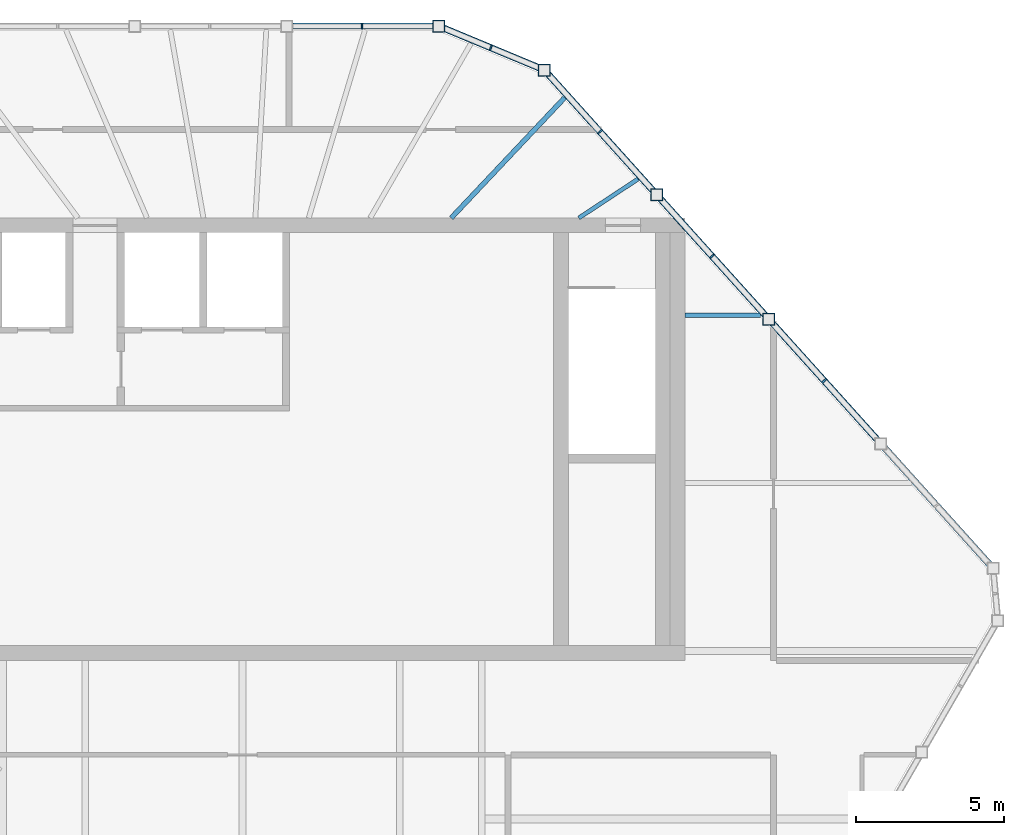
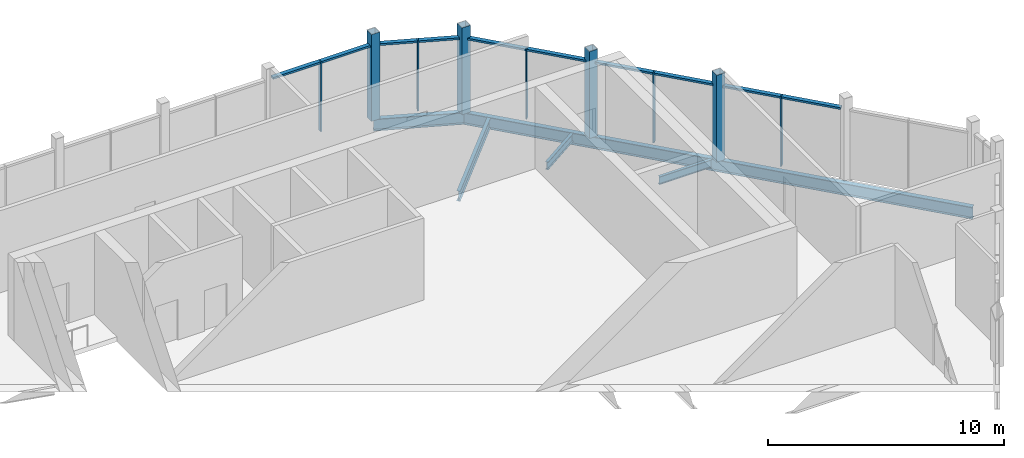
# One storey, part 6 of 10: 19 members, 5 beams, 3 elements without a shape of their own.
"""IFC4 building model written with IfcOpenShell, lengths in metres."""

from ifc_helpers import new_model, si_unit, direction, frame, origin, origin_2d, place, context, subcontext, project, spatial, rectangle, hollow_rectangle, i_section, extrude, material, layer, layer_set, material_profile, profile_set, type_object, element, aggregate, save


model = new_model("IFC4")

# Units and contexts
model_context = context("Model", 3, precision=1e-05, world=origin(), true_north=direction((0.0, 1.0)))
body_context = subcontext(model_context, "Body", "Model", "MODEL_VIEW")
ifc_project = project(units=[si_unit("LENGTHUNIT", "METRE"), si_unit("AREAUNIT", "SQUARE_METRE"), si_unit("VOLUMEUNIT", "CUBIC_METRE"), si_unit("PLANEANGLEUNIT", "RADIAN"), si_unit("MASSUNIT", "GRAM", prefix="KILO")], contexts=[model_context])

# Site, building, storey
site_placement = place(None, origin())
site = spatial("IfcSite", under=ifc_project, at=site_placement, CompositionType="ELEMENT")
building_placement = place(site_placement, origin())
building = spatial("IfcBuilding", under=site, at=building_placement, Name="Isthmus Gate Tower", CompositionType="ELEMENT")
storey_placement = place(building_placement, frame((0.0, 0.0, 311.10009765625)))
storey = spatial("IfcBuildingStorey", under=building, at=storey_placement, Name="C3", CompositionType="ELEMENT", Elevation=311.10009765625)

# Members
ifc_material_1 = material(Name="Structural steel ASTM A500 Gr C", Category="steel")
ifc_material_profile_1 = material_profile(ifc_material_1, hollow_rectangle(XDim=0.406494140625, YDim=0.406494140625, WallThickness=0.017578125, at=origin_2d()), Name="HSS16X16X3/4")
ifc_profile_set_1 = profile_set([ifc_material_profile_1], Name="Structural steel ASTM A500 Gr C")
member_type_1 = type_object("IfcMemberType", Name="CROWN POST HSS16X16X3/4", PredefinedType="POST", material=ifc_profile_set_1)
for number, where, z_axis, x_axis, name in (
    (1, (6.659912109375, 21.5, -0.25), (0.0, 0.0, 1.0), (1.0, 0.0, 0.0), "str-crownpost-C3-01"),
    (2, (17.83984375, 11.567138671875, -0.25), (0.0, 0.0, 1.0), (1.0, 0.0, 0.0), "str-crownpost-C3-28"),
    (3, (14.037109375, 15.790283203125, -0.25), (0.0, 0.0, 1.0), (1.0, 0.0, 0.0), "str-crownpost-C3-29"),
    (4, (10.234375, 20.013671875, -0.25), (0.0, 0.0, 1.0), (1.0, 0.0, 0.0), "str-crownpost-C3-30"),
):
    element("IfcMember", number, at=place(storey_placement, frame(where, z_axis=z_axis, x_axis=x_axis)), inside=storey, type_object=member_type_1, Name=name, PredefinedType="POST", context=body_context, shape_type="SweptSolid", body=[
        extrude(hollow_rectangle(XDim=0.406494140625, YDim=0.406494140625, WallThickness=0.017578125, at=origin_2d()), origin(), (0.0, 0.0, 1.0), 4.5),
    ])

# Beams
ifc_material_2 = material(Name="Structural steel ASTM A992 Gr 50", Category="steel")
ifc_material_profile_2 = material_profile(ifc_material_2, i_section(OverallWidth=0.231689453125, OverallDepth=0.615966796875, WebThickness=0.0126953125, FlangeThickness=0.022216796875, at=origin_2d()), Name="W24X94")
ifc_profile_set_2 = profile_set([ifc_material_profile_2], Name="Structural steel ASTM A992 Gr 50")
beam_type_1 = type_object("IfcBeamType", Name="CROWN RING BEAM W24X94", PredefinedType="BEAM", material=ifc_profile_set_2)
beam_1_placement = place(storey_placement, frame((25.445068359375, 3.120361328125, -0.55810546875), z_axis=(-0.669127890755, 0.743147270609, 0.0), x_axis=(-0.743147270609, -0.669127890755, 0.0)))
element("IfcBeam", 5, at=beam_1_placement, inside=storey, type_object=beam_type_1, Name="str-crownring-C3-10", PredefinedType="BEAM", context=body_context, shape_type="SweptSolid", body=[
    extrude(i_section(OverallWidth=0.231689453125, OverallDepth=0.615966796875, WebThickness=0.0126953125, FlangeThickness=0.022216796875, at=origin_2d()), origin(), (0.0, 0.0, 1.0), 22.732177734375),
])
beam_2_placement = place(storey_placement, frame((10.234375, 20.013671875, -0.55810546875), z_axis=(-0.923354696389, 0.383948049424, 0.0), x_axis=(-0.383948049424, -0.923354696389, 0.0)))
element("IfcBeam", 6, at=beam_2_placement, inside=storey, type_object=beam_type_1, Name="str-crownring-C3-11", PredefinedType="BEAM", context=body_context, shape_type="SweptSolid", body=[
    extrude(i_section(OverallWidth=0.231689453125, OverallDepth=0.615966796875, WebThickness=0.0126953125, FlangeThickness=0.022216796875, at=origin_2d()), origin(), (0.0, 0.0, 1.0), 3.87109375),
])

# Curtain wall, member
ifc_material_3 = material(Name="Aluminium, pale champagne anodised", Category="aluminium")
ifc_layer = layer(ifc_material_3, 0.199951171875)
ifc_layer_set = layer_set([ifc_layer], Name="CW-2 LOUVRE CURTAIN WALL 200 DEEP")
curtain_wall_type = type_object("IfcCurtainWallType", Name="CW-2 LOUVRE CURTAIN WALL 200 DEEP", PredefinedType="NOTDEFINED", material=ifc_layer_set)
curtain_wall_1_placement = place(storey_placement, origin())
curtain_wall_1 = element("IfcCurtainWall", 7, at=curtain_wall_1_placement, inside=storey, type_object=curtain_wall_type, Name="CW-2 E00 C3", PredefinedType="NOTDEFINED")
ifc_material_4 = material(Name="Aluminium, pale champagne anodised", Category="aluminium")
ifc_material_profile_3 = material_profile(ifc_material_4, rectangle(XDim=0.06005859375, YDim=0.199951171875, at=origin_2d()), Name="60x200")
ifc_profile_set_3 = profile_set([ifc_material_profile_3], Name="Aluminium, pale champagne anodised")
member_type_2 = type_object("IfcMemberType", Name="CW-2 MULLION 60 X 200", PredefinedType="MULLION", material=ifc_profile_set_3)
member_1_placement = place(storey_placement, frame((4.05126953125, 21.5, 0.0), z_axis=(0.0, 0.0, 1.0), x_axis=(-1.0, 0.0, 0.0)))
member_1 = element("IfcMember", 8, at=member_1_placement, type_object=member_type_2, Name="CW-2 mullion", PredefinedType="MULLION", context=body_context, shape_type="SweptSolid", body=[
    extrude(rectangle(XDim=0.06005859375, YDim=0.199951171875, at=origin_2d()), origin(), (0.0, 0.0, 1.0), 3.634033203125),
])

# Curtain wall, members
curtain_wall_2_placement = place(storey_placement, origin())
curtain_wall_2 = element("IfcCurtainWall", 9, at=curtain_wall_2_placement, inside=storey, type_object=curtain_wall_type, Name="CW-2 E10 C3", PredefinedType="NOTDEFINED")
member_2_placement = place(storey_placement, frame((19.720947265625, 9.477783203125, 0.0), z_axis=(0.0, 0.0, 1.0), x_axis=(-0.669130606359, 0.743144825477, 0.0)))
member_2 = element("IfcMember", 10, at=member_2_placement, type_object=member_type_2, Name="CW-2 mullion", PredefinedType="MULLION", context=body_context, shape_type="SweptSolid", body=[
    extrude(rectangle(XDim=0.06005859375, YDim=0.199951171875, at=origin_2d()), origin(), (0.0, 0.0, 1.0), 3.634033203125),
])
member_3_placement = place(storey_placement, frame((15.918212890625, 13.700927734375, 0.0), z_axis=(0.0, 0.0, 1.0), x_axis=(-0.669130606359, 0.743144825477, 0.0)))
member_3 = element("IfcMember", 11, at=member_3_placement, type_object=member_type_2, Name="CW-2 mullion", PredefinedType="MULLION", context=body_context, shape_type="SweptSolid", body=[
    extrude(rectangle(XDim=0.06005859375, YDim=0.199951171875, at=origin_2d()), origin(), (0.0, 0.0, 1.0), 3.634033203125),
])
member_4_placement = place(storey_placement, frame((12.11572265625, 17.92431640625, 0.0), z_axis=(0.0, 0.0, 1.0), x_axis=(-0.669130606359, 0.743144825477, 0.0)))
member_4 = element("IfcMember", 12, at=member_4_placement, type_object=member_type_2, Name="CW-2 mullion", PredefinedType="MULLION", context=body_context, shape_type="SweptSolid", body=[
    extrude(rectangle(XDim=0.06005859375, YDim=0.199951171875, at=origin_2d()), origin(), (0.0, 0.0, 1.0), 3.634033203125),
])

# Curtain wall, member
curtain_wall_3_placement = place(storey_placement, origin())
curtain_wall_3 = element("IfcCurtainWall", 13, at=curtain_wall_3_placement, inside=storey, type_object=curtain_wall_type, Name="CW-2 E11 C3", PredefinedType="NOTDEFINED")
member_5_placement = place(storey_placement, frame((8.41943359375, 20.768310546875, 0.0), z_axis=(0.0, 0.0, 1.0), x_axis=(-0.923353128387, 0.383951820282, 0.0)))
member_5 = element("IfcMember", 14, at=member_5_placement, type_object=member_type_2, Name="CW-2 mullion", PredefinedType="MULLION", context=body_context, shape_type="SweptSolid", body=[
    extrude(rectangle(XDim=0.06005859375, YDim=0.199951171875, at=origin_2d()), origin(), (0.0, 0.0, 1.0), 3.634033203125),
])

# Member
ifc_material_5 = material(Name="Aluminium, pale champagne anodised", Category="aluminium")
ifc_material_profile_4 = material_profile(ifc_material_5, rectangle(XDim=0.199951171875, YDim=0.10009765625, at=origin_2d()), Name="200x100")
ifc_profile_set_4 = profile_set([ifc_material_profile_4], Name="Aluminium, pale champagne anodised")
member_type_3 = type_object("IfcMemberType", Name="CW-2 TRANSOM 200 X 100", PredefinedType="USERDEFINED", material=ifc_profile_set_4)
member_6_placement = place(storey_placement, frame((6.456787109375, 21.5, 3.583984375), z_axis=(-1.0, 0.0, 0.0), x_axis=(0.0, -1.0, 0.0)))
member_6 = element("IfcMember", 15, at=member_6_placement, type_object=member_type_3, Name="CW-2 transom", ObjectType="TRANSOM", PredefinedType="USERDEFINED", context=body_context, shape_type="SweptSolid", body=[
    extrude(rectangle(XDim=0.199951171875, YDim=0.10009765625, at=origin_2d()), origin(), (0.0, 0.0, 1.0), 2.37548828125),
])

member_7_placement = place(storey_placement, frame((4.021240234375, 21.5, 3.583984375), z_axis=(-1.0, 0.0, 0.0), x_axis=(0.0, -1.0, 0.0)))
member_7 = element("IfcMember", 16, at=member_7_placement, type_object=member_type_3, Name="CW-2 transom", ObjectType="TRANSOM", PredefinedType="USERDEFINED", context=body_context, shape_type="SweptSolid", body=[
    extrude(rectangle(XDim=0.199951171875, YDim=0.10009765625, at=origin_2d()), origin(), (0.0, 0.0, 1.0), 2.3154296875),
])

aggregate(curtain_wall_1, [member_6, member_1, member_7])

member_8_placement = place(storey_placement, frame((21.50634765625, 7.494873046875, 3.583984375), z_axis=(-0.669169218402, 0.743110057221, 0.0), x_axis=(-0.743110057221, -0.669169218402, 0.0)))
member_8 = element("IfcMember", 17, at=member_8_placement, type_object=member_type_3, Name="CW-2 transom", ObjectType="TRANSOM", PredefinedType="USERDEFINED", context=body_context, shape_type="SweptSolid", body=[
    extrude(rectangle(XDim=0.199951171875, YDim=0.10009765625, at=origin_2d()), origin(), (0.0, 0.0, 1.0), 2.63818359375),
])

member_9_placement = place(storey_placement, frame((19.700927734375, 9.5, 3.583984375), z_axis=(-0.669163501195, 0.743115205516, 0.0), x_axis=(-0.743115205516, -0.669163501195, 0.0)))
member_9 = element("IfcMember", 18, at=member_9_placement, type_object=member_type_3, Name="CW-2 transom", ObjectType="TRANSOM", PredefinedType="USERDEFINED", context=body_context, shape_type="SweptSolid", body=[
    extrude(rectangle(XDim=0.199951171875, YDim=0.10009765625, at=origin_2d()), origin(), (0.0, 0.0, 1.0), 2.578369140625),
])

member_10_placement = place(storey_placement, frame((17.703857421875, 11.718017578125, 3.583984375), z_axis=(-0.669123202395, 0.74315149197, 0.0), x_axis=(-0.74315149197, -0.669123202395, 0.0)))
member_10 = element("IfcMember", 19, at=member_10_placement, type_object=member_type_3, Name="CW-2 transom", ObjectType="TRANSOM", PredefinedType="USERDEFINED", context=body_context, shape_type="SweptSolid", body=[
    extrude(rectangle(XDim=0.199951171875, YDim=0.10009765625, at=origin_2d()), origin(), (0.0, 0.0, 1.0), 2.638427734375),
])

member_11_placement = place(storey_placement, frame((15.898193359375, 13.723388671875, 3.583984375), z_axis=(-0.669111207332, 0.743162291981, 0.0), x_axis=(-0.743162291981, -0.669111207332, 0.0)))
member_11 = element("IfcMember", 20, at=member_11_placement, type_object=member_type_3, Name="CW-2 transom", ObjectType="TRANSOM", PredefinedType="USERDEFINED", context=body_context, shape_type="SweptSolid", body=[
    extrude(rectangle(XDim=0.199951171875, YDim=0.10009765625, at=origin_2d()), origin(), (0.0, 0.0, 1.0), 2.578125),
])

member_12_placement = place(storey_placement, frame((13.901123046875, 15.94140625, 3.583984375), z_axis=(-0.669123202395, 0.74315149197, 0.0), x_axis=(-0.74315149197, -0.669123202395, 0.0)))
member_12 = element("IfcMember", 21, at=member_12_placement, type_object=member_type_3, Name="CW-2 transom", ObjectType="TRANSOM", PredefinedType="USERDEFINED", context=body_context, shape_type="SweptSolid", body=[
    extrude(rectangle(XDim=0.199951171875, YDim=0.10009765625, at=origin_2d()), origin(), (0.0, 0.0, 1.0), 2.638427734375),
])

member_13_placement = place(storey_placement, frame((12.095458984375, 17.946533203125, 3.583984375), z_axis=(-0.669064121693, 0.743204683155, 0.0), x_axis=(-0.743204683155, -0.669064121693, 0.0)))
member_13 = element("IfcMember", 22, at=member_13_placement, type_object=member_type_3, Name="CW-2 transom", ObjectType="TRANSOM", PredefinedType="USERDEFINED", context=body_context, shape_type="SweptSolid", body=[
    extrude(rectangle(XDim=0.199951171875, YDim=0.10009765625, at=origin_2d()), origin(), (0.0, 0.0, 1.0), 2.578369140625),
])

aggregate(curtain_wall_2, [member_8, member_2, member_9, member_10, member_3, member_11, member_12, member_4, member_13])

member_14_placement = place(storey_placement, frame((10.046630859375, 20.091796875, 3.583984375), z_axis=(-0.923356075221, 0.383944733461, 0.0), x_axis=(-0.383944733461, -0.923356075221, 0.0)))
member_14 = element("IfcMember", 23, at=member_14_placement, type_object=member_type_3, Name="CW-2 transom", ObjectType="TRANSOM", PredefinedType="USERDEFINED", context=body_context, shape_type="SweptSolid", body=[
    extrude(rectangle(XDim=0.199951171875, YDim=0.10009765625, at=origin_2d()), origin(), (0.0, 0.0, 1.0), 1.732177734375),
])

member_15_placement = place(storey_placement, frame((8.391845703125, 20.77978515625, 3.583984375), z_axis=(-0.923357418254, 0.383941503559, 0.0), x_axis=(-0.383941503559, -0.923357418254, 0.0)))
member_15 = element("IfcMember", 24, at=member_15_placement, type_object=member_type_3, Name="CW-2 transom", ObjectType="TRANSOM", PredefinedType="USERDEFINED", context=body_context, shape_type="SweptSolid", body=[
    extrude(rectangle(XDim=0.199951171875, YDim=0.10009765625, at=origin_2d()), origin(), (0.0, 0.0, 1.0), 1.67236328125),
])

aggregate(curtain_wall_3, [member_14, member_5, member_15])

# Beams
ifc_material_6 = material(Name="Structural steel ASTM A992 Gr 50", Category="steel")
ifc_material_profile_5 = material_profile(ifc_material_6, i_section(OverallWidth=0.1396484375, OverallDepth=0.4033203125, WebThickness=0.00634765625, FlangeThickness=0.010986328125, at=origin_2d()), Name="W16X31")
ifc_profile_set_5 = profile_set([ifc_material_profile_5], Name="Structural steel ASTM A992 Gr 50")
beam_type_2 = type_object("IfcBeamType", Name="STEEL FLOOR BEAM W16X31", PredefinedType="JOIST", material=ifc_profile_set_5)
beam_3_placement = place(storey_placement, frame((11.403076171875, 15.0, -0.45166015625), z_axis=(0.835495809474, 0.549496817418, 0.0), x_axis=(-0.549496817418, 0.835495809474, 0.0)))
element("IfcBeam", 25, at=beam_3_placement, inside=storey, type_object=beam_type_2, Name="str-beam-C3-00-00", PredefinedType="JOIST", context=body_context, shape_type="SweptSolid", body=[
    extrude(i_section(OverallWidth=0.1396484375, OverallDepth=0.4033203125, WebThickness=0.00634765625, FlangeThickness=0.010986328125, at=origin_2d()), origin(), (0.0, 0.0, 1.0), 2.39794921875),
])
beam_4_placement = place(storey_placement, frame((15.0, 11.7021484375, -0.45166015625), z_axis=(1.0, 0.0, 0.0), x_axis=(0.0, 1.0, 0.0)))
element("IfcBeam", 26, at=beam_4_placement, inside=storey, type_object=beam_type_2, Name="str-beam-C3-04-05", PredefinedType="JOIST", context=body_context, shape_type="SweptSolid", body=[
    extrude(i_section(OverallWidth=0.1396484375, OverallDepth=0.4033203125, WebThickness=0.00634765625, FlangeThickness=0.010986328125, at=origin_2d()), origin(), (0.0, 0.0, 1.0), 2.562255859375),
])
ifc_material_7 = material(Name="Structural steel ASTM A992 Gr 50", Category="steel")
ifc_material_profile_6 = material_profile(ifc_material_7, i_section(OverallWidth=0.1650390625, OverallDepth=0.52392578125, WebThickness=0.009521484375, FlangeThickness=0.010986328125, at=origin_2d()), Name="W21X44")
ifc_profile_set_6 = profile_set([ifc_material_profile_6], Name="Structural steel ASTM A992 Gr 50")
beam_type_3 = type_object("IfcBeamType", Name="STEEL FLOOR BEAM W21X44", PredefinedType="JOIST", material=ifc_profile_set_6)
beam_5_placement = place(storey_placement, frame((7.075927734375, 15.0, -0.511962890625), z_axis=(0.686247387964, 0.727368216595, 0.0), x_axis=(-0.727368216595, 0.686247387964, 0.0)))
element("IfcBeam", 27, at=beam_5_placement, inside=storey, type_object=beam_type_3, Name="str-beam-C3-00-01", PredefinedType="JOIST", context=body_context, shape_type="SweptSolid", body=[
    extrude(i_section(OverallWidth=0.1650390625, OverallDepth=0.52392578125, WebThickness=0.009521484375, FlangeThickness=0.010986328125, at=origin_2d()), origin(), (0.0, 0.0, 1.0), 5.604736328125),
])

save(model, "model.ifc")
